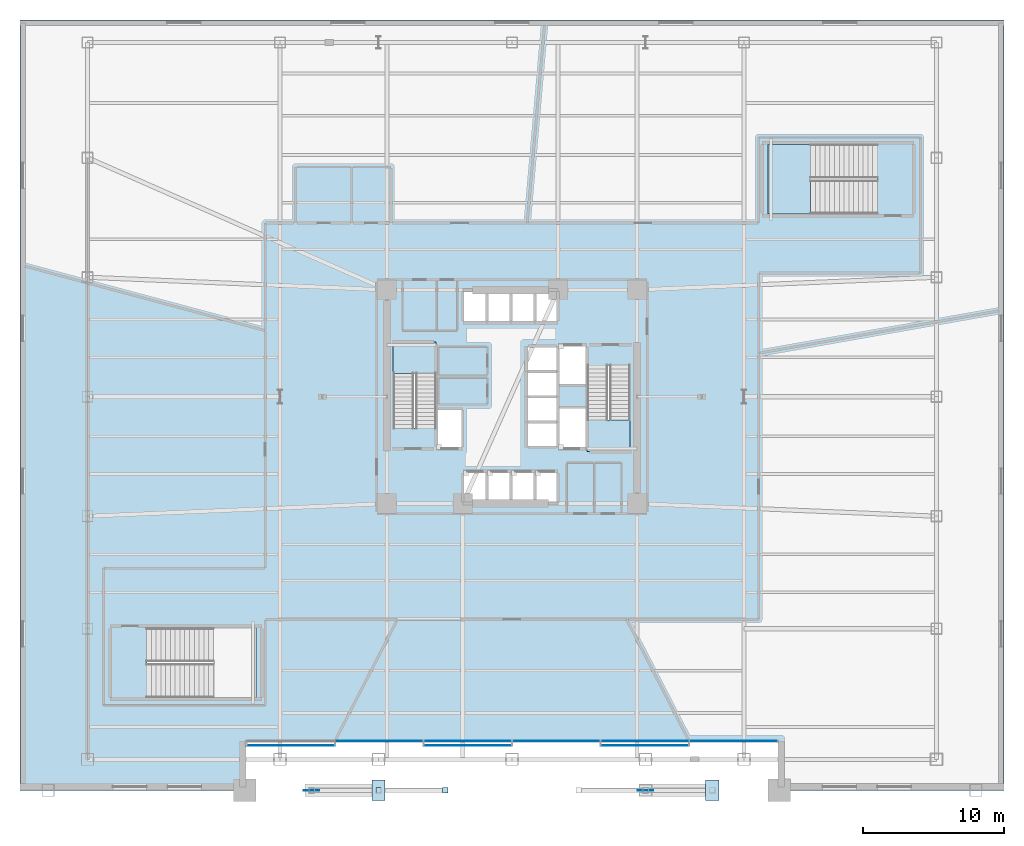
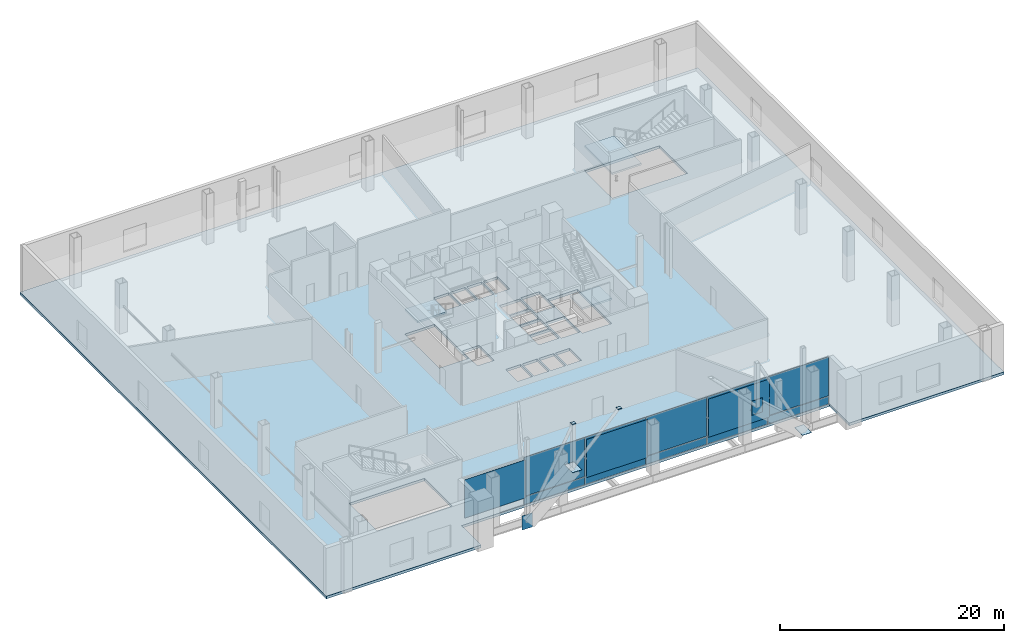
# One storey, part 6 of 16: 19 plates, 4 slabs, 4 elements without a shape of their own.
"""IFC4 building model written with IfcOpenShell, lengths in metres."""

from ifc_helpers import new_model, si_unit, direction, frame, origin, origin_2d, place, context, subcontext, project, spatial, polyline, rectangle, outline, extrude, material, layer, layer_set, type_object, element, aggregate, save


model = new_model("IFC4")

# Units and contexts
model_context = context("Model", 3, precision=1e-05, world=origin(), true_north=direction((0.0, 1.0)))
body_context = subcontext(model_context, "Body", "Model", "MODEL_VIEW")
ifc_project = project(units=[si_unit("LENGTHUNIT", "METRE"), si_unit("AREAUNIT", "SQUARE_METRE"), si_unit("VOLUMEUNIT", "CUBIC_METRE"), si_unit("PLANEANGLEUNIT", "RADIAN"), si_unit("MASSUNIT", "GRAM", prefix="KILO")], contexts=[model_context])

# Site, building, storey
site_placement = place(None, origin())
site = spatial("IfcSite", under=ifc_project, at=site_placement, CompositionType="ELEMENT")
building_placement = place(site_placement, origin())
building = spatial("IfcBuilding", under=site, at=building_placement, Name="Tharavind Bronze Gate", CompositionType="ELEMENT")
storey_placement = place(building_placement, frame((0.0, 0.0, 5.5)))
storey = spatial("IfcBuildingStorey", under=building, at=storey_placement, Name="L01", CompositionType="ELEMENT", Elevation=5.5)

# Plates
ifc_material_1 = material(Name="Perforated Bronze Alloy", Category="bronze")
ifc_layer_1 = layer(ifc_material_1, 0.011962890625)
ifc_layer_set_1 = layer_set([ifc_layer_1], Name="Perforated Bronze Alloy")
plate_type_1 = type_object("IfcPlateType", Name="BRONZE PERFORATED SOLAR SCREEN", PredefinedType="USERDEFINED", material=ifc_layer_set_1)
for number, where, z_axis, x_axis, name in (
    (1, (-15.75, -24.81494140625, 0.97412109375), (0.0, 0.0, 1.0), (1.0, 0.0, 0.0), "CW-L01-ARCH perforated bronze solar screen 1"),
    (2, (-3.14990234375, -24.81494140625, 0.97412109375), (0.0, 0.0, 1.0), (1.0, 0.0, 0.0), "CW-L01-ARCH perforated bronze solar screen 3"),
    (3, (9.449951171875, -24.81494140625, 0.97412109375), (0.0, 0.0, 1.0), (1.0, 0.0, 0.0), "CW-L01-ARCH perforated bronze solar screen 5"),
):
    element("IfcPlate", number, at=place(storey_placement, frame(where, z_axis=z_axis, x_axis=x_axis)), inside=storey, type_object=plate_type_1, Name=name, ObjectType="SCREEN", PredefinedType="USERDEFINED", context=body_context, shape_type="SweptSolid", body=[
        extrude(rectangle(XDim=6.280029296875, YDim=0.011962890625, at=origin_2d()), origin(), (0.0, 0.0, 1.0), 4.172119140625),
    ])

# Curtain wall, plates
ifc_material_2 = material(Name="Anodised Bronze Aluminium", Category="aluminium")
ifc_layer_2 = layer(ifc_material_2, 0.219970703125)
ifc_layer_set_2 = layer_set([ifc_layer_2], Name="Anodised Bronze Aluminium")
curtain_wall_type = type_object("IfcCurtainWallType", Name="UNITISED CURTAIN WALL PODIUM", PredefinedType="USERDEFINED", material=ifc_layer_set_2)
curtain_wall_placement = place(storey_placement, origin())
curtain_wall = element("IfcCurtainWall", 4, at=curtain_wall_placement, inside=storey, type_object=curtain_wall_type, Name="L01 unitised curtain wall podium CW-L01-ARCH", ObjectType="UNITISED CURTAIN WALL", PredefinedType="USERDEFINED")
ifc_material_3 = material(Name="Patinated Bronze Alloy Sheet", Category="bronze")
ifc_layer_3 = layer(ifc_material_3, 0.01611328125)
ifc_layer_set_3 = layer_set([ifc_layer_3], Name="Patinated Bronze Alloy Sheet")
plate_type_2 = type_object("IfcPlateType", Name="BRONZE SPANDREL CLADDING PANEL 16", PredefinedType="CURTAIN_PANEL", material=ifc_layer_set_3)
plate_1_placement = place(storey_placement, frame((-9.449951171875, -24.5, 0.033935546875), z_axis=(0.0, 0.0, 1.0), x_axis=(1.0, 0.0, 0.0)))
plate_1 = element("IfcPlate", 5, at=plate_1_placement, type_object=plate_type_2, Name="CW-L01-ARCH bronze spandrel panel 2", PredefinedType="CURTAIN_PANEL", context=body_context, shape_type="SweptSolid", body=[
    extrude(rectangle(XDim=6.23193359375, YDim=0.01611328125, at=origin_2d()), origin(), (0.0, 0.0, 1.0), 0.83203125),
])
plate_2_placement = place(storey_placement, frame((-3.14990234375, -24.5, 0.033935546875), z_axis=(0.0, 0.0, 1.0), x_axis=(1.0, 0.0, 0.0)))
plate_2 = element("IfcPlate", 6, at=plate_2_placement, type_object=plate_type_2, Name="CW-L01-ARCH bronze spandrel panel 3", PredefinedType="CURTAIN_PANEL", context=body_context, shape_type="SweptSolid", body=[
    extrude(rectangle(XDim=6.23193359375, YDim=0.01611328125, at=origin_2d()), origin(), (0.0, 0.0, 1.0), 0.83203125),
])
plate_3_placement = place(storey_placement, frame((3.14990234375, -24.5, 0.033935546875), z_axis=(0.0, 0.0, 1.0), x_axis=(1.0, 0.0, 0.0)))
plate_3 = element("IfcPlate", 7, at=plate_3_placement, type_object=plate_type_2, Name="CW-L01-ARCH bronze spandrel panel 4", PredefinedType="CURTAIN_PANEL", context=body_context, shape_type="SweptSolid", body=[
    extrude(rectangle(XDim=6.23193359375, YDim=0.01611328125, at=origin_2d()), origin(), (0.0, 0.0, 1.0), 0.83203125),
])
plate_4_placement = place(storey_placement, frame((9.449951171875, -24.5, 0.033935546875), z_axis=(0.0, 0.0, 1.0), x_axis=(1.0, 0.0, 0.0)))
plate_4 = element("IfcPlate", 8, at=plate_4_placement, type_object=plate_type_2, Name="CW-L01-ARCH bronze spandrel panel 5", PredefinedType="CURTAIN_PANEL", context=body_context, shape_type="SweptSolid", body=[
    extrude(rectangle(XDim=6.23193359375, YDim=0.01611328125, at=origin_2d()), origin(), (0.0, 0.0, 1.0), 0.83203125),
])
plate_5_placement = place(storey_placement, frame((15.75, -24.5, 0.033935546875), z_axis=(0.0, 0.0, 1.0), x_axis=(1.0, 0.0, 0.0)))
plate_5 = element("IfcPlate", 9, at=plate_5_placement, type_object=plate_type_2, Name="CW-L01-ARCH bronze spandrel panel 6", PredefinedType="CURTAIN_PANEL", context=body_context, shape_type="SweptSolid", body=[
    extrude(rectangle(XDim=6.23193359375, YDim=0.01611328125, at=origin_2d()), origin(), (0.0, 0.0, 1.0), 0.83203125),
])
ifc_material_4 = material(Name="Low-E Double Glazing", Category="glass")
ifc_layer_4 = layer(ifc_material_4, 0.031982421875)
ifc_layer_set_4 = layer_set([ifc_layer_4], Name="Low-E Double Glazing")
plate_type_3 = type_object("IfcPlateType", Name="DOUBLE GLAZED FACADE PANEL 32", PredefinedType="CURTAIN_PANEL", material=ifc_layer_set_4)
plate_6_placement = place(storey_placement, frame((-9.449951171875, -24.5, 0.93408203125), z_axis=(0.0, 0.0, 1.0), x_axis=(1.0, 0.0, 0.0)))
plate_6 = element("IfcPlate", 10, at=plate_6_placement, type_object=plate_type_3, Name="CW-L01-ARCH vision glazing panel 2", PredefinedType="CURTAIN_PANEL", context=body_context, shape_type="SweptSolid", body=[
    extrude(rectangle(XDim=6.23193359375, YDim=0.031982421875, at=origin_2d()), origin(), (0.0, 0.0, 1.0), 4.251953125),
])
plate_7_placement = place(storey_placement, frame((-3.14990234375, -24.5, 0.93408203125), z_axis=(0.0, 0.0, 1.0), x_axis=(1.0, 0.0, 0.0)))
plate_7 = element("IfcPlate", 11, at=plate_7_placement, type_object=plate_type_3, Name="CW-L01-ARCH vision glazing panel 3", PredefinedType="CURTAIN_PANEL", context=body_context, shape_type="SweptSolid", body=[
    extrude(rectangle(XDim=6.23193359375, YDim=0.031982421875, at=origin_2d()), origin(), (0.0, 0.0, 1.0), 4.251953125),
])
plate_8_placement = place(storey_placement, frame((3.14990234375, -24.5, 0.93408203125), z_axis=(0.0, 0.0, 1.0), x_axis=(1.0, 0.0, 0.0)))
plate_8 = element("IfcPlate", 12, at=plate_8_placement, type_object=plate_type_3, Name="CW-L01-ARCH vision glazing panel 4", PredefinedType="CURTAIN_PANEL", context=body_context, shape_type="SweptSolid", body=[
    extrude(rectangle(XDim=6.23193359375, YDim=0.031982421875, at=origin_2d()), origin(), (0.0, 0.0, 1.0), 4.251953125),
])
plate_9_placement = place(storey_placement, frame((9.449951171875, -24.5, 0.93408203125), z_axis=(0.0, 0.0, 1.0), x_axis=(1.0, 0.0, 0.0)))
plate_9 = element("IfcPlate", 13, at=plate_9_placement, type_object=plate_type_3, Name="CW-L01-ARCH vision glazing panel 5", PredefinedType="CURTAIN_PANEL", context=body_context, shape_type="SweptSolid", body=[
    extrude(rectangle(XDim=6.23193359375, YDim=0.031982421875, at=origin_2d()), origin(), (0.0, 0.0, 1.0), 4.251953125),
])
plate_10_placement = place(storey_placement, frame((15.75, -24.5, 0.93408203125), z_axis=(0.0, 0.0, 1.0), x_axis=(1.0, 0.0, 0.0)))
plate_10 = element("IfcPlate", 14, at=plate_10_placement, type_object=plate_type_3, Name="CW-L01-ARCH vision glazing panel 6", PredefinedType="CURTAIN_PANEL", context=body_context, shape_type="SweptSolid", body=[
    extrude(rectangle(XDim=6.23193359375, YDim=0.031982421875, at=origin_2d()), origin(), (0.0, 0.0, 1.0), 4.251953125),
])
aggregate(curtain_wall, [plate_1, plate_6, plate_2, plate_7, plate_3, plate_8, plate_4, plate_9, plate_5, plate_10])

# Stair, slab
ifc_material_5 = material(Name="Concrete C40/50", Category="concrete")
stair_type_1 = type_object("IfcStairType", Name="CORE HALF TURN STAIR 1450", PredefinedType="HALF_TURN_STAIR", material=ifc_material_5)
stair_1_placement = place(storey_placement, origin())
stair_1 = element("IfcStair", 15, at=stair_1_placement, inside=storey, type_object=stair_type_1, Name="L01 Protected Exit Stair ST1", PredefinedType="HALF_TURN_STAIR")
ifc_layer_5 = layer(ifc_material_5, 0.199951171875)
ifc_layer_set_5 = layer_set([ifc_layer_5], Name="Concrete C40/50")
slab_type_1 = type_object("IfcSlabType", Name="STAIR LANDING SLAB 200", PredefinedType="LANDING", material=ifc_layer_set_5)
slab_1_placement = place(storey_placement, frame((0.0, 0.0, 2.550048828125)))
slab_1 = element("IfcSlab", 16, at=slab_1_placement, type_object=slab_type_1, Name="ST1 landing 1", PredefinedType="LANDING", context=body_context, shape_type="SweptSolid", body=[
    extrude(outline(polyline([(-5.39990234375, 1.669921875), (-5.39990234375, 3.89990234375), (-8.449951171875, 3.89990234375), (-8.449951171875, 1.669921875), (-5.39990234375, 1.669921875)])), origin(), (0.0, 0.0, 1.0), 0.199951171875),
])
aggregate(stair_1, [slab_1])

stair_2_placement = place(storey_placement, origin())
stair_2 = element("IfcStair", 17, at=stair_2_placement, inside=storey, type_object=stair_type_1, Name="L01 Protected Exit Stair ST2", PredefinedType="HALF_TURN_STAIR")
slab_2_placement = place(storey_placement, frame((0.0, 0.0, 2.550048828125)))
slab_2 = element("IfcSlab", 18, at=slab_2_placement, type_object=slab_type_1, Name="ST2 landing 1", PredefinedType="LANDING", context=body_context, shape_type="SweptSolid", body=[
    extrude(outline(polyline([(5.35009765625, -1.669921875), (5.35009765625, -3.89990234375), (8.39990234375, -3.89990234375), (8.39990234375, -1.669921875), (5.35009765625, -1.669921875)])), origin(), (0.0, 0.0, 1.0), 0.199951171875),
])
aggregate(stair_2, [slab_2])

stair_type_2 = type_object("IfcStairType", Name="PODIUM HALF TURN STAIR 2400", PredefinedType="HALF_TURN_STAIR", material=ifc_material_5)
stair_3_placement = place(storey_placement, origin())
stair_3 = element("IfcStair", 19, at=stair_3_placement, inside=storey, type_object=stair_type_2, Name="L01 Protected Exit Stair ST4", PredefinedType="HALF_TURN_STAIR")
slab_3_placement = place(storey_placement, frame((0.0, 0.0, 2.550048828125)))
slab_3 = element("IfcSlab", 20, at=slab_3_placement, type_object=slab_type_1, Name="ST4 landing 1", PredefinedType="LANDING", context=body_context, shape_type="SweptSolid", body=[
    extrude(outline(polyline([(21.239990234375, 17.949951171875), (18.199951171875, 17.949951171875), (18.199951171875, 13.0), (21.239990234375, 13.0), (21.239990234375, 17.949951171875)])), origin(), (0.0, 0.0, 1.0), 0.199951171875),
])
aggregate(stair_3, [slab_3])

# Plates
ifc_material_6 = material(Name="Steel S460", Category="steel")
ifc_layer_6 = layer(ifc_material_6, 0.02490234375)
ifc_layer_set_6 = layer_set([ifc_layer_6], Name="Steel S460")
plate_type_4 = type_object("IfcPlateType", Name="STEEL END CAP SHEET 25", PredefinedType="SHEET", material=ifc_layer_set_6)
for number, where, z_axis, x_axis, name in (
    (21, (-9.5, -28.0, 5.150146484375), (0.0, 0.0, 1.0), (1.0, 0.0, 0.0), "Steel end cap plate CAP-ARCH-R2B"),
    (22, (14.25, -28.0, 0.91552734375), (0.0, 0.0, 1.0), (1.0, 0.0, 0.0), "Steel end cap plate CAP-ARCH-R7B"),
):
    element("IfcPlate", number, at=place(storey_placement, frame(where, z_axis=z_axis, x_axis=x_axis)), inside=storey, type_object=plate_type_4, Name=name, PredefinedType="SHEET", context=body_context, shape_type="SweptSolid", body=[
        extrude(rectangle(XDim=0.945068359375, YDim=1.445068359375, at=origin_2d()), origin(), (0.0, 0.0, 1.0), 0.02490234375),
    ])
ifc_material_7 = material(Name="Steel S355", Category="steel")
ifc_layer_7 = layer(ifc_material_7, 0.02490234375)
ifc_layer_set_7 = layer_set([ifc_layer_7], Name="Steel S355")
plate_type_5 = type_object("IfcPlateType", Name="STEEL END CAP SHEET S355 25", PredefinedType="SHEET", material=ifc_layer_set_7)
for number, where, z_axis, x_axis, name in (
    (23, (-9.5, -28.0, 9.9775390625), (0.0, 0.0, 1.0), (1.0, 0.0, 0.0), "Steel end cap plate CAP-ARCH-DG2B"),
    (24, (-4.75, -28.0, 9.9775390625), (0.0, 0.0, 1.0), (1.0, 0.0, 0.0), "Steel end cap plate CAP-ARCH-DG3B"),
):
    element("IfcPlate", number, at=place(storey_placement, frame(where, z_axis=z_axis, x_axis=x_axis)), inside=storey, type_object=plate_type_5, Name=name, PredefinedType="SHEET", context=body_context, shape_type="SweptSolid", body=[
        extrude(rectangle(XDim=0.368896484375, YDim=0.368896484375, at=origin_2d()), origin(), (0.0, 0.0, 1.0), 0.02490234375),
    ])
ifc_layer_8 = layer(ifc_material_6, 0.035888671875)
ifc_layer_set_8 = layer_set([ifc_layer_8], Name="Steel S460")
plate_type_6 = type_object("IfcPlateType", Name="STEEL NODE GUSSET PLATE 36", PredefinedType="USERDEFINED", material=ifc_layer_set_8)
for number, where, z_axis, x_axis, name in (
    (25, (-14.25, -28.0, 0.15283203125), (0.0, 0.0, 1.0), (1.0, 0.0, 0.0), "Node N1 arch rib gusset plate"),
    (26, (9.5, -28.0, 4.3876953125), (0.0, 0.0, 1.0), (1.0, 0.0, 0.0), "Node N6 arch rib gusset plate"),
):
    element("IfcPlate", number, at=place(storey_placement, frame(where, z_axis=z_axis, x_axis=x_axis)), inside=storey, type_object=plate_type_6, Name=name, ObjectType="GUSSET PLATE", PredefinedType="USERDEFINED", context=body_context, shape_type="SweptSolid", body=[
        extrude(rectangle(XDim=1.10009765625, YDim=0.035888671875, at=origin_2d()), origin(), (0.0, 0.0, 1.0), 1.550048828125),
    ])

# Slab
ifc_layer_9 = layer(ifc_material_5, 0.280029296875)
ifc_layer_set_9 = layer_set([ifc_layer_9], Name="Concrete C40/50")
slab_type_2 = type_object("IfcSlabType", Name="STRUCTURAL FLOOR SLAB 280", PredefinedType="FLOOR", material=ifc_layer_set_9)
slab_4_placement = place(storey_placement, frame((0.0, 0.0, -0.280029296875)))
element("IfcSlab", 27, at=slab_4_placement, inside=storey, type_object=slab_type_2, Name="L01 main structural floor slab", PredefinedType="FLOOR", context=body_context, shape_type="SweptSolid", body=[
    extrude(outline(polyline([(-35.0, -28.0), (-19.0, -28.0), (-19.0, -24.5), (19.0, -24.5), (19.0, -28.0), (35.0, -28.0), (35.0, 26.800048828125), (-35.0, 26.800048828125), (-35.0, -28.0)]), holes=[polyline([(-5.39990234375, -2.215087890625), (-5.39990234375, 3.89990234375), (-8.449951171875, 3.89990234375), (-8.449951171875, -2.215087890625), (-5.39990234375, -2.215087890625)]), polyline([(5.35009765625, 2.215087890625), (5.35009765625, -3.89990234375), (8.39990234375, -3.89990234375), (8.39990234375, 2.215087890625), (5.35009765625, 2.215087890625)]), polyline([(-25.965087890625, -21.39990234375), (-18.199951171875, -21.39990234375), (-18.199951171875, -16.449951171875), (-25.965087890625, -16.449951171875), (-25.965087890625, -21.39990234375)]), polyline([(25.965087890625, 17.949951171875), (18.199951171875, 17.949951171875), (18.199951171875, 13.0), (25.965087890625, 13.0), (25.965087890625, 17.949951171875)]), polyline([(-3.419921875, -7.52001953125), (-1.867431640625, -7.52001953125), (-1.867431640625, -5.3798828125), (-3.419921875, -5.3798828125), (-3.419921875, -7.52001953125)]), polyline([(-1.70751953125, -7.52001953125), (-0.155029296875, -7.52001953125), (-0.155029296875, -5.3798828125), (-1.70751953125, -5.3798828125), (-1.70751953125, -7.52001953125)]), polyline([(0.0048828125, -7.52001953125), (1.5576171875, -7.52001953125), (1.5576171875, -5.3798828125), (0.0048828125, -5.3798828125), (0.0048828125, -7.52001953125)]), polyline([(1.717529296875, -7.52001953125), (3.199951171875, -7.52001953125), (3.199951171875, -5.3798828125), (1.717529296875, -5.3798828125), (1.717529296875, -7.52001953125)]), polyline([(-3.419921875, 5.330078125), (-1.867431640625, 5.330078125), (-1.867431640625, 7.52001953125), (-3.419921875, 7.52001953125), (-3.419921875, 5.330078125)]), polyline([(-1.70751953125, 5.330078125), (-0.155029296875, 5.330078125), (-0.155029296875, 7.52001953125), (-1.70751953125, 7.52001953125), (-1.70751953125, 5.330078125)]), polyline([(0.0048828125, 5.330078125), (1.5576171875, 5.330078125), (1.5576171875, 7.52001953125), (0.0048828125, 7.52001953125), (0.0048828125, 5.330078125)]), polyline([(1.717529296875, 5.330078125), (3.199951171875, 5.330078125), (3.199951171875, 7.52001953125), (1.717529296875, 7.52001953125), (1.717529296875, 5.330078125)]), polyline([(1.080078125, -3.52001953125), (3.199951171875, -3.52001953125), (3.199951171875, -1.8798828125), (1.080078125, -1.8798828125), (1.080078125, -3.52001953125)]), polyline([(1.080078125, -1.719970703125), (3.199951171875, -1.719970703125), (3.199951171875, -0.080078125), (1.080078125, -0.080078125), (1.080078125, -1.719970703125)]), polyline([(1.080078125, 0.080078125), (3.199951171875, 0.080078125), (3.199951171875, 1.719970703125), (1.080078125, 1.719970703125), (1.080078125, 0.080078125)]), polyline([(1.080078125, 1.8798828125), (3.199951171875, 1.8798828125), (3.199951171875, 3.52001953125), (1.080078125, 3.52001953125), (1.080078125, 1.8798828125)]), polyline([(-5.320068359375, -3.6201171875), (-3.580078125, -3.6201171875), (-3.580078125, -0.929931640625), (-5.320068359375, -0.929931640625), (-5.320068359375, -3.6201171875)]), polyline([(3.360107421875, 0.8798828125), (5.27001953125, 0.8798828125), (5.27001953125, 3.6201171875), (3.360107421875, 3.6201171875), (3.360107421875, 0.8798828125)]), polyline([(3.360107421875, -3.6201171875), (5.27001953125, -3.6201171875), (5.27001953125, -0.830078125), (3.360107421875, -0.830078125), (3.360107421875, -3.6201171875)])]), origin(), (0.0, 0.0, 1.0), 0.280029296875),
])

save(model, "model.ifc")
